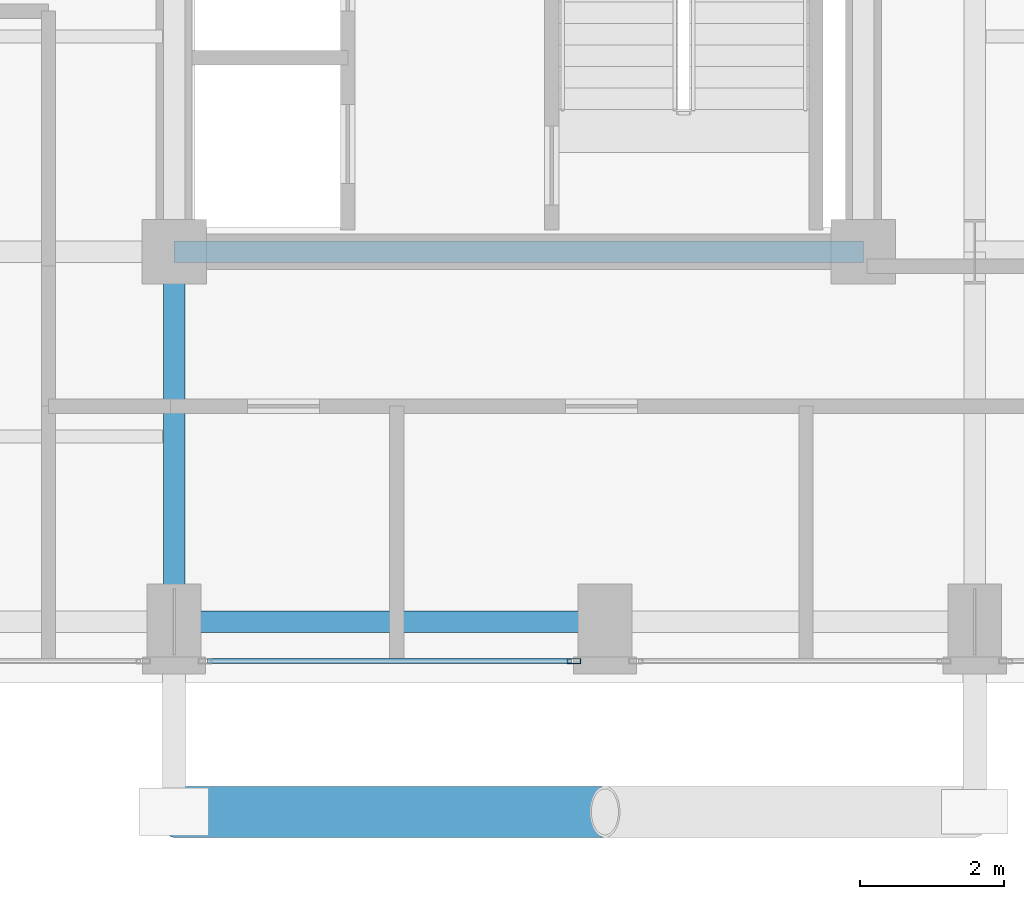
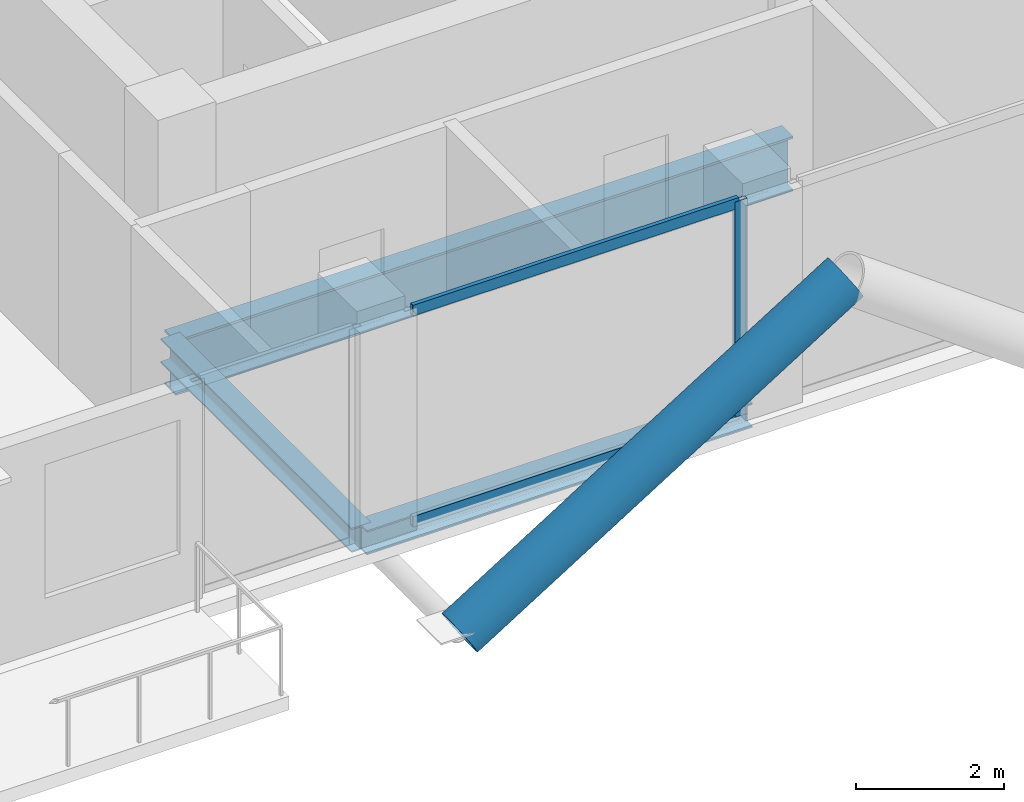
# One storey, part 5 of 22: 4 members, 3 beams, 1 element without a shape of its own.
"""IFC4 building model written with IfcOpenShell, lengths in metres."""

from ifc_helpers import new_model, si_unit, direction, frame, origin, origin_2d, place, context, subcontext, project, spatial, hollow_rectangle, hollow_circle, i_section, extrude, material, layer, layer_set, material_profile, profile_set, type_object, element, aggregate, save


model = new_model("IFC4")

# Units and contexts
model_context = context("Model", 3, precision=1e-05, world=origin(), true_north=direction((0.0, 1.0)))
body_context = subcontext(model_context, "Body", "Model", "MODEL_VIEW")
ifc_project = project(units=[si_unit("LENGTHUNIT", "METRE"), si_unit("AREAUNIT", "SQUARE_METRE"), si_unit("VOLUMEUNIT", "CUBIC_METRE"), si_unit("PLANEANGLEUNIT", "RADIAN"), si_unit("MASSUNIT", "GRAM", prefix="KILO"), si_unit("THERMODYNAMICTEMPERATUREUNIT", "KELVIN"), si_unit("POWERUNIT", "WATT")], contexts=[model_context])

# Site, building, storey
site_placement = place(None, origin())
site = spatial("IfcSite", under=ifc_project, at=site_placement, CompositionType="ELEMENT")
building_placement = place(site_placement, origin())
building = spatial("IfcBuilding", under=site, at=building_placement, Name="Svarakhadi Broadcast Tower", CompositionType="ELEMENT")
storey_placement = place(building_placement, frame((0.0, 0.0, 176.699951171875)))
storey = spatial("IfcBuildingStorey", under=building, at=storey_placement, Name="L43", CompositionType="ELEMENT", Elevation=176.699951171875)

# Curtain wall, members
ifc_material_1 = material(Name="Anodised Bronze Aluminium AA 6063-T6", Category="aluminium")
ifc_layer = layer(ifc_material_1, 0.18994140625)
ifc_layer_set = layer_set([ifc_layer], Name="Anodised Bronze Aluminium AA 6063-T6")
curtain_wall_type = type_object("IfcCurtainWallType", Name="CW_Sys_04", PredefinedType="NOTDEFINED", material=ifc_layer_set)
curtain_wall_placement = place(storey_placement, origin())
curtain_wall = element("IfcCurtainWall", 1, at=curtain_wall_placement, inside=storey, type_object=curtain_wall_type, Name="L43 South Curtain Wall 16 Bay 3", PredefinedType="NOTDEFINED")
ifc_material_profile_1 = material_profile(ifc_material_1, hollow_rectangle(XDim=0.070068359375, YDim=0.18994140625, WallThickness=0.005615234375, at=origin_2d()), Name="ALU MULLION 190x70x6")
ifc_profile_set_1 = profile_set([ifc_material_profile_1], Name="Anodised Bronze Aluminium AA 6063-T6")
member_type_1 = type_object("IfcMemberType", Name="CW_Sys_04_Mul", PredefinedType="MULLION", material=ifc_profile_set_1)
member_1_placement = place(storey_placement, frame((29.570068359375, 0.300048828125, 0.0), z_axis=(0.0, 0.0, 1.0), x_axis=(0.0, -1.0, 0.0)))
member_1 = element("IfcMember", 2, at=member_1_placement, type_object=member_type_1, Name="CW-04 mullion 1", PredefinedType="MULLION", context=body_context, shape_type="SweptSolid", body=[
    extrude(hollow_rectangle(XDim=0.070068359375, YDim=0.18994140625, WallThickness=0.005615234375, at=origin_2d()), origin(), (0.0, 0.0, 1.0), 3.5400390625),
])
ifc_material_profile_2 = material_profile(ifc_material_1, hollow_rectangle(XDim=0.06494140625, YDim=0.175048828125, WallThickness=0.0048828125, at=origin_2d()), Name="ALU TRANSOM 175x65x5")
ifc_profile_set_2 = profile_set([ifc_material_profile_2], Name="Anodised Bronze Aluminium AA 6063-T6")
member_type_2 = type_object("IfcMemberType", Name="CW_Sys_04_Trn", PredefinedType="USERDEFINED", material=ifc_profile_set_2)
member_2_placement = place(storey_placement, frame((29.534912109375, 0.300048828125, 0.032470703125), z_axis=(-1.0, 0.0, 0.0), x_axis=(0.0, -1.0, 0.0)))
member_2 = element("IfcMember", 3, at=member_2_placement, type_object=member_type_2, Name="CW-04 transom 1.1", ObjectType="TRANSOM", PredefinedType="USERDEFINED", context=body_context, shape_type="SweptSolid", body=[
    extrude(hollow_rectangle(XDim=0.06494140625, YDim=0.175048828125, WallThickness=0.0048828125, at=origin_2d()), origin(), (0.0, 0.0, 1.0), 5.06982421875),
])
member_3_placement = place(storey_placement, frame((29.534912109375, 0.300048828125, 3.507568359375), z_axis=(-1.0, 0.0, 0.0), x_axis=(0.0, -1.0, 0.0)))
member_3 = element("IfcMember", 4, at=member_3_placement, type_object=member_type_2, Name="CW-04 transom 1.2", ObjectType="TRANSOM", PredefinedType="USERDEFINED", context=body_context, shape_type="SweptSolid", body=[
    extrude(hollow_rectangle(XDim=0.06494140625, YDim=0.175048828125, WallThickness=0.0048828125, at=origin_2d()), origin(), (0.0, 0.0, 1.0), 5.06982421875),
])
aggregate(curtain_wall, [member_1, member_2, member_3])

# Member
ifc_material_2 = material(Name="Steel S460ML (IS 2062 E450BR)", Category="steel")
ifc_material_profile_3 = material_profile(ifc_material_2, hollow_circle(Radius=0.35546875, WallThickness=0.034912109375, at=origin_2d()), Name="CHS 711x35")
ifc_profile_set_3 = profile_set([ifc_material_profile_3], Name="Steel S460ML (IS 2062 E450BR)")
member_type_3 = type_object("IfcMemberType", Name="Exo_Brace_CHS711", PredefinedType="BRACE", material=ifc_profile_set_3)
member_4_placement = place(storey_placement, frame((24.0, -1.800048828125, -0.371826171875), z_axis=(0.847998304005, 0.0, 0.529998940003), x_axis=(0.0, 1.0, 0.0)))
element("IfcMember", 5, at=member_4_placement, inside=storey, type_object=member_type_3, Name="L43 Exposed Bronze Exoskeleton Diagonal S01", PredefinedType="BRACE", context=body_context, shape_type="SweptSolid", body=[
    extrude(hollow_circle(Radius=0.35546875, WallThickness=0.034912109375, at=origin_2d()), origin(), (0.0, 0.0, 1.0), 7.075439453125),
])

# Beams
ifc_material_3 = material(Name="Steel S355J2 (IS 2062 E350C)", Category="steel")
ifc_material_profile_4 = material_profile(ifc_material_3, i_section(OverallWidth=0.300048828125, OverallDepth=0.39990234375, WebThickness=0.013427734375, FlangeThickness=0.02392578125, FilletRadius=0.027099609375, at=origin_2d()), Name="WPB 400x300x155")
ifc_profile_set_4 = profile_set([ifc_material_profile_4], Name="Steel S355J2 (IS 2062 E350C)")
beam_type_1 = type_object("IfcBeamType", Name="Girder_WPB400", PredefinedType="USERDEFINED", material=ifc_profile_set_4)
beam_1_placement = place(storey_placement, frame((24.0, 0.85009765625, -0.409912109375), z_axis=(1.0, 0.0, 0.0), x_axis=(0.0, 1.0, 0.0)))
element("IfcBeam", 6, at=beam_1_placement, inside=storey, type_object=beam_type_1, Name="L43 Primary E-W Girder G007", ObjectType="GIRDER", PredefinedType="USERDEFINED", context=body_context, shape_type="SweptSolid", body=[
    extrude(i_section(OverallWidth=0.300048828125, OverallDepth=0.39990234375, WebThickness=0.013427734375, FlangeThickness=0.02392578125, FilletRadius=0.027099609375, at=origin_2d()), origin(), (0.0, 0.0, 1.0), 6.0),
])
beam_2_placement = place(storey_placement, frame((24.0, 0.85009765625, -0.409912109375), z_axis=(0.0, 1.0, 0.0), x_axis=(-1.0, 0.0, 0.0)))
element("IfcBeam", 7, at=beam_2_placement, inside=storey, type_object=beam_type_1, Name="L43 Primary N-S Girder G051", ObjectType="GIRDER", PredefinedType="USERDEFINED", context=body_context, shape_type="SweptSolid", body=[
    extrude(i_section(OverallWidth=0.300048828125, OverallDepth=0.39990234375, WebThickness=0.013427734375, FlangeThickness=0.02392578125, FilletRadius=0.027099609375, at=origin_2d()), origin(), (0.0, 0.0, 1.0), 5.14990234375),
])
ifc_material_profile_5 = material_profile(ifc_material_2, i_section(OverallWidth=0.300048828125, OverallDepth=0.89990234375, WebThickness=0.0185546875, FlangeThickness=0.034912109375, FilletRadius=0.030029296875, at=origin_2d()), Name="WPB 900x300x291")
ifc_profile_set_5 = profile_set([ifc_material_profile_5], Name="Steel S460ML (IS 2062 E450BR)")
beam_type_2 = type_object("IfcBeamType", Name="Girder_WPB900", PredefinedType="USERDEFINED", material=ifc_profile_set_5)
beam_3_placement = place(storey_placement, frame((24.0, 6.0, -0.659912109375), z_axis=(1.0, 0.0, 0.0), x_axis=(0.0, 1.0, 0.0)))
element("IfcBeam", 8, at=beam_3_placement, inside=storey, type_object=beam_type_2, Name="L43 Primary E-W Girder G013", ObjectType="GIRDER", PredefinedType="USERDEFINED", context=body_context, shape_type="SweptSolid", body=[
    extrude(i_section(OverallWidth=0.300048828125, OverallDepth=0.89990234375, WebThickness=0.0185546875, FlangeThickness=0.034912109375, FilletRadius=0.030029296875, at=origin_2d()), origin(), (0.0, 0.0, 1.0), 9.60009765625),
])

save(model, "model.ifc")
